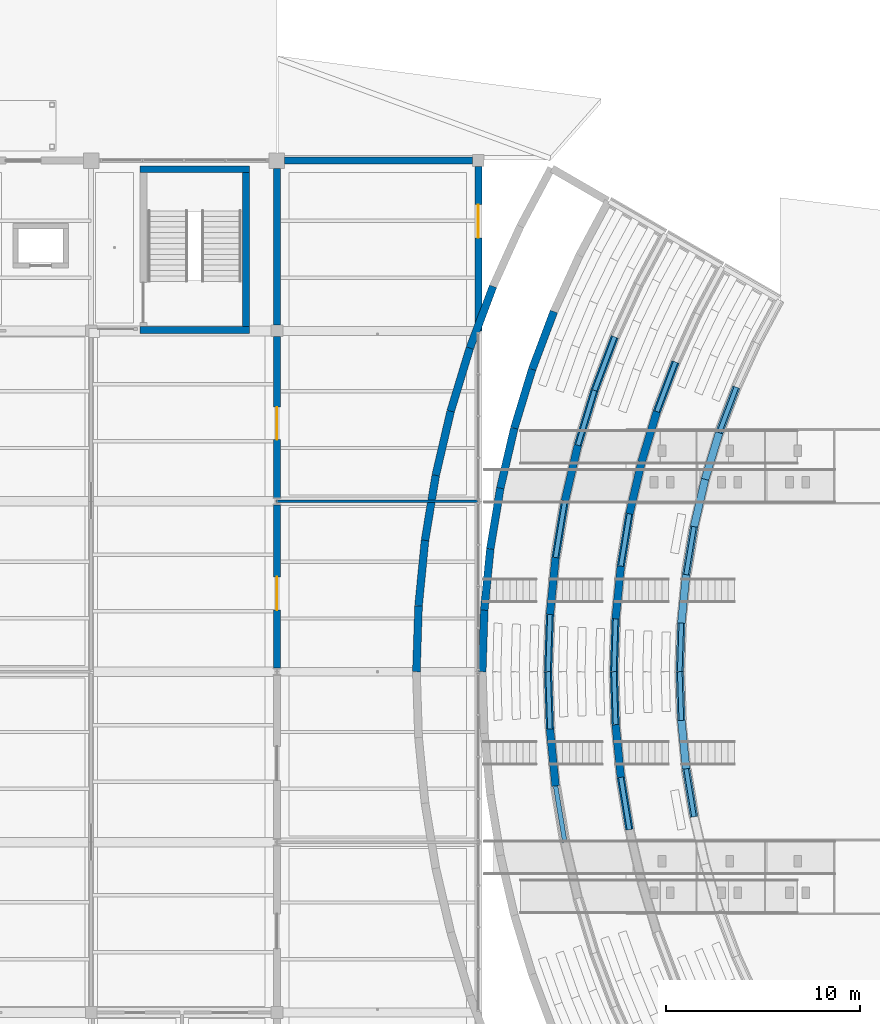
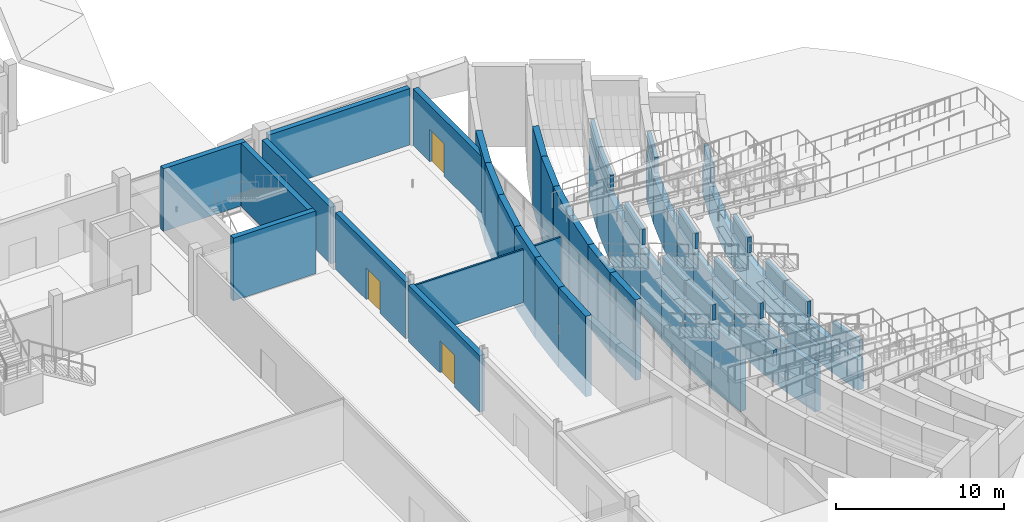
# One storey, part 86 of 116: 63 walls, 3 doors, 3 openings.
"""IFC4 building model written with IfcOpenShell, lengths in metres."""

from ifc_helpers import new_model, si_unit, direction, frame, frame_2d, origin, place, context, subcontext, project, spatial, rectangle, extrude, material, layer, layer_set, type_object, element, fill, save


model = new_model("IFC4")

# Units and contexts
model_context = context("Model", 3, precision=1e-05, world=origin(), true_north=direction((0.0, 1.0)))
body_context = subcontext(model_context, "Body", "Model", "MODEL_VIEW")
ifc_project = project(units=[si_unit("LENGTHUNIT", "METRE"), si_unit("AREAUNIT", "SQUARE_METRE"), si_unit("VOLUMEUNIT", "CUBIC_METRE"), si_unit("PLANEANGLEUNIT", "RADIAN"), si_unit("MASSUNIT", "GRAM", prefix="KILO")], contexts=[model_context])

# Site, building, storey
site_placement = place(None, origin())
site = spatial("IfcSite", under=ifc_project, at=site_placement, CompositionType="ELEMENT")
building_placement = place(site_placement, origin())
building = spatial("IfcBuilding", under=site, at=building_placement, Name="Chalmorin Arch Market", CompositionType="ELEMENT")
storey_placement = place(building_placement, origin())
storey = spatial("IfcBuildingStorey", under=building, at=storey_placement, Name="L00", CompositionType="ELEMENT", Elevation=0.0)

# Walls
ifc_material_1 = material(Name="Concrete C40/50", Category="concrete")
ifc_layer_1 = layer(ifc_material_1, 0.35009765625)
ifc_layer_set_1 = layer_set([ifc_layer_1], Name="Concrete C40/50")
wall_type_1 = type_object("IfcWallType", Name="CoreShearWall-350", PredefinedType="SHEAR", material=ifc_layer_set_1)
for number, where, z_axis, x_axis, name in (
    (1, (123.375, 50.050048828125, 0.0), (0.0, 0.0, 1.0), (-1.0, 0.0, 0.0), "CSW-350-053"),
    (2, (117.72509765625, 58.35009765625, 0.0), (0.0, 0.0, 1.0), (1.0, 0.0, 0.0), "CSW-350-054"),
):
    element("IfcWall", number, at=place(storey_placement, frame(where, z_axis=z_axis, x_axis=x_axis)), inside=storey, type_object=wall_type_1, Name=name, PredefinedType="SHEAR", context=body_context, shape_type="SweptSolid", body=[
        extrude(rectangle(XDim=5.64990234375, YDim=0.35009765625, at=frame_2d((2.824951171875, 0.0))), origin(), (0.0, 0.0, 1.0), 4.550048828125),
    ])
wall_1_placement = place(storey_placement, frame((123.199951171875, 58.175048828125, 0.0), z_axis=(0.0, 0.0, 1.0), x_axis=(0.0, -1.0, 0.0)))
element("IfcWall", 3, at=wall_1_placement, inside=storey, type_object=wall_type_1, Name="CSW-350-056", PredefinedType="SHEAR", context=body_context, shape_type="SweptSolid", body=[
    extrude(rectangle(XDim=7.949951171875, YDim=0.35009765625, at=frame_2d((3.97509765625, 0.0))), origin(), (0.0, 0.0, 1.0), 4.550048828125),
])
ifc_material_2 = material(Name="Powder-coated Aluminium Panel", Category="aluminium")
ifc_layer_2 = layer(ifc_material_2, 0.125)
ifc_layer_set_2 = layer_set([ifc_layer_2], Name="Powder-coated Aluminium Panel")
wall_type_2 = type_object("IfcWallType", Name="DemountableStudStallPartition-125", PredefinedType="PARTITIONING", material=ifc_layer_set_2)
wall_2_placement = place(storey_placement, frame((124.75, 41.199951171875, 0.0), z_axis=(0.0, 0.0, 1.0), x_axis=(1.0, 0.0, 0.0)))
element("IfcWall", 4, at=wall_2_placement, inside=storey, type_object=wall_type_2, Name="DSP-125-415", PredefinedType="PARTITIONING", context=body_context, shape_type="SweptSolid", body=[
    extrude(rectangle(XDim=10.39990234375, YDim=0.125, at=frame_2d((5.199951171875, 0.0))), origin(), (0.0, 0.0, 1.0), 3.8349609375),
])

# Wall, opening, door
ifc_material_3 = material(Name="Concrete C35/45", Category="concrete")
ifc_layer_3 = layer(ifc_material_3, 0.35009765625)
ifc_layer_set_3 = layer_set([ifc_layer_3], Name="Concrete C35/45")
wall_type_3 = type_object("IfcWallType", Name="PlinthPerimeterWall-350", PredefinedType="SOLIDWALL", material=ifc_layer_set_3)
wall_3_placement = place(storey_placement, frame((124.800048828125, 32.583984375, 0.0), z_axis=(0.0, 0.0, 1.0), x_axis=(0.0, 1.0, 0.0)))
wall_3 = element("IfcWall", 5, at=wall_3_placement, inside=storey, type_object=wall_type_3, Name="PPW-350-144", PredefinedType="SOLIDWALL", context=body_context, shape_type="SweptSolid", body=[
    extrude(rectangle(XDim=8.43212890625, YDim=0.35009765625, at=frame_2d((4.216064453125, 0.0))), origin(), (0.0, 0.0, 1.0), 4.10009765625),
])
opening_1_placement = place(wall_3_placement, frame((3.0, 0.0, 0.0)))
opening_1 = element("IfcOpeningElement", 6, at=opening_1_placement, cuts=wall_3, Name="Opening ED-026", PredefinedType="OPENING", context=body_context, shape_type="SweptSolid", body=[
    extrude(rectangle(XDim=1.719970703125, YDim=2.340087890625, at=frame_2d((0.85986328125, 1.169921875))), frame((0.0, 0.18505859375, 0.0), z_axis=(0.0, -1.0, 0.0), x_axis=(1.0, 0.0, 0.0)), (0.0, 0.0, 1.0), 0.3701171875),
])
ifc_material_4 = material(Name="Aluminium 6063-T6", Category="aluminium")
door_type_1 = type_object("IfcDoorType", Name="DoubleStorefrontDoor-1800x2400-1720x2340", OperationType="DOUBLE_DOOR_SINGLE_SWING", PredefinedType="DOOR", material=ifc_material_4)
door_1_placement = place(opening_1_placement, origin())
door_1 = element("IfcDoor", 7, at=door_1_placement, inside=storey, type_object=door_type_1, Name="ED-026", OperationType="DOUBLE_DOOR_SINGLE_SWING", OverallHeight=2.340087890625, OverallWidth=1.719970703125, PredefinedType="DOOR", context=body_context, shape_type="SweptSolid", body=[
    extrude(rectangle(XDim=1.719970703125, YDim=2.340087890625, at=frame_2d((0.85986328125, 1.169921875))), frame((0.0, 0.02490234375, 0.0), z_axis=(0.0, -1.0, 0.0), x_axis=(1.0, 0.0, 0.0)), (0.0, 0.0, 1.0), 0.050048828125),
])
fill(opening_1, door_1)

wall_4_placement = place(storey_placement, frame((124.800048828125, 41.384033203125, 0.0), z_axis=(0.0, 0.0, 1.0), x_axis=(0.0, 1.0, 0.0)))
wall_4 = element("IfcWall", 8, at=wall_4_placement, inside=storey, type_object=wall_type_3, Name="PPW-350-146", PredefinedType="SOLIDWALL", context=body_context, shape_type="SweptSolid", body=[
    extrude(rectangle(XDim=8.31591796875, YDim=0.35009765625, at=frame_2d((4.157958984375, 0.0))), origin(), (0.0, 0.0, 1.0), 4.10009765625),
])
opening_2_placement = place(wall_4_placement, frame((3.0, 0.0, 0.0)))
opening_2 = element("IfcOpeningElement", 9, at=opening_2_placement, cuts=wall_4, Name="Opening ED-027", PredefinedType="OPENING", context=body_context, shape_type="SweptSolid", body=[
    extrude(rectangle(XDim=1.679931640625, YDim=2.31005859375, at=frame_2d((0.83984375, 1.155029296875))), frame((0.0, 0.18505859375, 0.0), z_axis=(0.0, -1.0, 0.0), x_axis=(1.0, 0.0, 0.0)), (0.0, 0.0, 1.0), 0.3701171875),
])
door_type_2 = type_object("IfcDoorType", Name="DoubleStorefrontDoor-1800x2400-1680x2310", OperationType="DOUBLE_DOOR_SINGLE_SWING", PredefinedType="DOOR", material=ifc_material_4)
door_2_placement = place(opening_2_placement, origin())
door_2 = element("IfcDoor", 10, at=door_2_placement, inside=storey, type_object=door_type_2, Name="ED-027", OperationType="DOUBLE_DOOR_SINGLE_SWING", OverallHeight=2.31005859375, OverallWidth=1.679931640625, PredefinedType="DOOR", context=body_context, shape_type="SweptSolid", body=[
    extrude(rectangle(XDim=1.679931640625, YDim=2.31005859375, at=frame_2d((0.83984375, 1.155029296875))), frame((0.0, 0.02490234375, 0.0), z_axis=(0.0, -1.0, 0.0), x_axis=(1.0, 0.0, 0.0)), (0.0, 0.0, 1.0), 0.050048828125),
])
fill(opening_2, door_2)

# Wall
wall_5_placement = place(storey_placement, frame((124.800048828125, 50.300048828125, 0.0), z_axis=(0.0, 0.0, 1.0), x_axis=(0.0, 1.0, 0.0)))
element("IfcWall", 11, at=wall_5_placement, inside=storey, type_object=wall_type_3, Name="PPW-350-148", PredefinedType="SOLIDWALL", context=body_context, shape_type="SweptSolid", body=[
    extrude(rectangle(XDim=8.099853515625, YDim=0.35009765625, at=frame_2d((4.0498046875, 0.0))), origin(), (0.0, 0.0, 1.0), 4.10009765625),
])

# Wall, opening, door
wall_6_placement = place(storey_placement, frame((135.199951171875, 50.0, 0.0), z_axis=(0.0, 0.0, 1.0), x_axis=(0.0, 1.0, 0.0)))
wall_6 = element("IfcWall", 12, at=wall_6_placement, inside=storey, type_object=wall_type_3, Name="PPW-350-230", PredefinedType="SOLIDWALL", context=body_context, shape_type="SweptSolid", body=[
    extrude(rectangle(XDim=8.5, YDim=0.35009765625, at=frame_2d((4.25, 0.0))), origin(), (0.0, 0.0, 1.0), 4.10009765625),
])
opening_3_placement = place(wall_6_placement, frame((4.800048828125, 0.0, 0.0)))
opening_3 = element("IfcOpeningElement", 13, at=opening_3_placement, cuts=wall_6, Name="Opening ED-062", PredefinedType="OPENING", context=body_context, shape_type="SweptSolid", body=[
    extrude(rectangle(XDim=1.719970703125, YDim=2.340087890625, at=frame_2d((0.85986328125, 1.169921875))), frame((0.0, 0.18505859375, 0.0), z_axis=(0.0, -1.0, 0.0), x_axis=(1.0, 0.0, 0.0)), (0.0, 0.0, 1.0), 0.3701171875),
])
door_3_placement = place(opening_3_placement, origin())
door_3 = element("IfcDoor", 14, at=door_3_placement, inside=storey, type_object=door_type_1, Name="ED-062", OperationType="DOUBLE_DOOR_SINGLE_SWING", OverallHeight=2.340087890625, OverallWidth=1.719970703125, PredefinedType="DOOR", context=body_context, shape_type="SweptSolid", body=[
    extrude(rectangle(XDim=1.719970703125, YDim=2.340087890625, at=frame_2d((0.85986328125, 1.169921875))), frame((0.0, 0.02490234375, 0.0), z_axis=(0.0, -1.0, 0.0), x_axis=(1.0, 0.0, 0.0)), (0.0, 0.0, 1.0), 0.050048828125),
])
fill(opening_3, door_3)

# Walls
wall_7_placement = place(storey_placement, frame((125.199951171875, 58.800048828125, 0.0), z_axis=(0.0, 0.0, 1.0), x_axis=(1.0, 0.0, 0.0)))
element("IfcWall", 15, at=wall_7_placement, inside=storey, type_object=wall_type_3, Name="PPW-350-232", PredefinedType="SOLIDWALL", context=body_context, shape_type="SweptSolid", body=[
    extrude(rectangle(XDim=9.699951171875, YDim=0.35009765625, at=frame_2d((4.85009765625, 0.0))), origin(), (0.0, 0.0, 1.0), 4.10009765625),
])
ifc_layer_4 = layer(ifc_material_1, 0.39990234375)
ifc_layer_set_4 = layer_set([ifc_layer_4], Name="Concrete C40/50")
wall_type_4 = type_object("IfcWallType", Name="TerraceRetainingWall-400", PredefinedType="SOLIDWALL", material=ifc_layer_set_4)
wall_8_placement = place(storey_placement, frame((148.52294921875, 47.094970703125, -1.300048828125), z_axis=(0.0, 0.0, 1.0), x_axis=(-0.352166581556, -0.935937337024, 0.0)))
element("IfcWall", 16, at=wall_8_placement, inside=storey, type_object=wall_type_4, Name="TRW-400-237", PredefinedType="SOLIDWALL", context=body_context, shape_type="SweptSolid", body=[
    extrude(rectangle(XDim=2.512939453125, YDim=0.39990234375, at=frame_2d((1.25634765625, 0.0))), origin(), (0.0, 0.0, 1.0), 2.239990234375),
])
wall_9_placement = place(storey_placement, frame((147.637939453125, 44.742919921875, -1.300048828125), z_axis=(0.0, 0.0, 1.0), x_axis=(-0.290573761892, -0.956852595179, 0.0)))
element("IfcWall", 17, at=wall_9_placement, inside=storey, type_object=wall_type_4, Name="TRW-400-239", PredefinedType="SOLIDWALL", context=body_context, shape_type="SweptSolid", body=[
    extrude(rectangle(XDim=2.51220703125, YDim=0.39990234375, at=frame_2d((1.256103515625, 0.0))), origin(), (0.0, 0.0, 1.0), 2.239990234375),
])
wall_10_placement = place(storey_placement, frame((146.907958984375, 42.339111328125, -1.300048828125), z_axis=(0.0, 0.0, 1.0), x_axis=(-0.226802786969, -0.97394070447, 0.0)))
element("IfcWall", 18, at=wall_10_placement, inside=storey, type_object=wall_type_4, Name="TRW-400-240", PredefinedType="SOLIDWALL", context=body_context, shape_type="SweptSolid", body=[
    extrude(rectangle(XDim=2.513427734375, YDim=0.39990234375, at=frame_2d((1.2568359375, 0.0))), origin(), (0.0, 0.0, 1.0), 2.239990234375),
])
wall_11_placement = place(storey_placement, frame((146.337890625, 39.89111328125, -1.300048828125), z_axis=(0.0, 0.0, 1.0), x_axis=(-0.162759998997, -0.986665689444, 0.0)))
element("IfcWall", 19, at=wall_11_placement, inside=storey, type_object=wall_type_4, Name="TRW-400-241", PredefinedType="SOLIDWALL", context=body_context, shape_type="SweptSolid", body=[
    extrude(rectangle(XDim=2.512451171875, YDim=0.39990234375, at=frame_2d((1.25634765625, 0.0))), origin(), (0.0, 0.0, 1.0), 2.239990234375),
])
wall_12_placement = place(storey_placement, frame((145.928955078125, 37.412109375, -1.300048828125), z_axis=(0.0, 0.0, 1.0), x_axis=(-0.098301470161, -0.995156681616, 0.0)))
element("IfcWall", 20, at=wall_12_placement, inside=storey, type_object=wall_type_4, Name="TRW-400-243", PredefinedType="SOLIDWALL", context=body_context, shape_type="SweptSolid", body=[
    extrude(rectangle(XDim=2.513427734375, YDim=0.39990234375, at=frame_2d((1.2568359375, 0.0))), origin(), (0.0, 0.0, 1.0), 2.239990234375),
])
for number, where, z_axis, x_axis, name in (
    (21, (145.681884765625, 34.910888671875, -1.300048828125), (0.0, 0.0, 1.0), (-0.032554442181, -0.999469963678, 0.0), "TRW-400-244"),
    (22, (145.60009765625, 32.39990234375, -1.300048828125), (0.0, 0.0, 1.0), (0.032554442181, -0.999469963678, 0.0), "TRW-400-246"),
):
    element("IfcWall", number, at=place(storey_placement, frame(where, z_axis=z_axis, x_axis=x_axis)), inside=storey, type_object=wall_type_4, Name=name, PredefinedType="SOLIDWALL", context=body_context, shape_type="SweptSolid", body=[
        extrude(rectangle(XDim=2.51220703125, YDim=0.39990234375, at=frame_2d((1.256103515625, 0.0))), origin(), (0.0, 0.0, 1.0), 2.239990234375),
    ])
wall_13_placement = place(storey_placement, frame((145.681884765625, 29.888916015625, -1.300048828125), z_axis=(0.0, 0.0, 1.0), x_axis=(0.098310973424, -0.995155742839, 0.0)))
element("IfcWall", 23, at=wall_13_placement, inside=storey, type_object=wall_type_4, Name="TRW-400-248", PredefinedType="SOLIDWALL", context=body_context, shape_type="SweptSolid", body=[
    extrude(rectangle(XDim=2.51318359375, YDim=0.39990234375, at=frame_2d((1.256591796875, 0.0))), origin(), (0.0, 0.0, 1.0), 2.239990234375),
])
wall_14_placement = place(storey_placement, frame((145.928955078125, 27.387939453125, -1.300048828125), z_axis=(0.0, 0.0, 1.0), x_axis=(0.162759998997, -0.986665689444, 0.0)))
element("IfcWall", 24, at=wall_14_placement, inside=storey, type_object=wall_type_4, Name="TRW-400-249", PredefinedType="SOLIDWALL", context=body_context, shape_type="SweptSolid", body=[
    extrude(rectangle(XDim=2.512451171875, YDim=0.39990234375, at=frame_2d((1.25634765625, 0.0))), origin(), (0.0, 0.0, 1.0), 2.239990234375),
])
wall_15_placement = place(storey_placement, frame((145.382080078125, 48.39599609375, -1.300048828125), z_axis=(0.0, 0.0, 1.0), x_axis=(-0.352433673569, -0.93583679439, 0.0)))
element("IfcWall", 25, at=wall_15_placement, inside=storey, type_object=wall_type_4, Name="TRW-400-263", PredefinedType="SOLIDWALL", context=body_context, shape_type="SweptSolid", body=[
    extrude(rectangle(XDim=2.735595703125, YDim=0.39990234375, at=frame_2d((1.36767578125, 0.0))), origin(), (0.0, 0.0, 1.0), 3.43994140625),
])
wall_16_placement = place(storey_placement, frame((144.41796875, 45.8359375, -1.300048828125), z_axis=(0.0, 0.0, 1.0), x_axis=(-0.290319576629, -0.956929748428, 0.0)))
element("IfcWall", 26, at=wall_16_placement, inside=storey, type_object=wall_type_4, Name="TRW-400-265", PredefinedType="SOLIDWALL", context=body_context, shape_type="SweptSolid", body=[
    extrude(rectangle(XDim=2.734619140625, YDim=0.39990234375, at=frame_2d((1.3671875, 0.0))), origin(), (0.0, 0.0, 1.0), 3.43994140625),
])
wall_17_placement = place(storey_placement, frame((143.6240234375, 43.218994140625, -1.300048828125), z_axis=(0.0, 0.0, 1.0), x_axis=(-0.22704904503, -0.973883325225, 0.0)))
element("IfcWall", 27, at=wall_17_placement, inside=storey, type_object=wall_type_4, Name="TRW-400-266", PredefinedType="SOLIDWALL", context=body_context, shape_type="SweptSolid", body=[
    extrude(rectangle(XDim=2.735595703125, YDim=0.39990234375, at=frame_2d((1.36767578125, 0.0))), origin(), (0.0, 0.0, 1.0), 3.43994140625),
])
wall_18_placement = place(storey_placement, frame((143.0029296875, 40.554931640625, -1.300048828125), z_axis=(0.0, 0.0, 1.0), x_axis=(-0.162618489266, -0.986689022412, 0.0)))
element("IfcWall", 28, at=wall_18_placement, inside=storey, type_object=wall_type_4, Name="TRW-400-267", PredefinedType="SOLIDWALL", context=body_context, shape_type="SweptSolid", body=[
    extrude(rectangle(XDim=2.7353515625, YDim=0.39990234375, at=frame_2d((1.36767578125, 0.0))), origin(), (0.0, 0.0, 1.0), 3.43994140625),
])
wall_19_placement = place(storey_placement, frame((142.55810546875, 37.85595703125, -1.300048828125), z_axis=(0.0, 0.0, 1.0), x_axis=(-0.098363610785, -0.995150541412, 0.0)))
element("IfcWall", 29, at=wall_19_placement, inside=storey, type_object=wall_type_4, Name="TRW-400-269", PredefinedType="SOLIDWALL", context=body_context, shape_type="SweptSolid", body=[
    extrude(rectangle(XDim=2.735107421875, YDim=0.39990234375, at=frame_2d((1.36767578125, 0.0))), origin(), (0.0, 0.0, 1.0), 3.43994140625),
])
wall_20_placement = place(storey_placement, frame((142.2890625, 35.134033203125, -1.300048828125), z_axis=(0.0, 0.0, 1.0), x_axis=(-0.032574898961, -0.999469297156, 0.0)))
element("IfcWall", 30, at=wall_20_placement, inside=storey, type_object=wall_type_4, Name="TRW-400-270", PredefinedType="SOLIDWALL", context=body_context, shape_type="SweptSolid", body=[
    extrude(rectangle(XDim=2.735595703125, YDim=0.39990234375, at=frame_2d((1.36767578125, 0.0))), origin(), (0.0, 0.0, 1.0), 3.43994140625),
])
wall_21_placement = place(storey_placement, frame((142.199951171875, 32.39990234375, -1.300048828125), z_axis=(0.0, 0.0, 1.0), x_axis=(0.032577804866, -0.999469202442, 0.0)))
element("IfcWall", 31, at=wall_21_placement, inside=storey, type_object=wall_type_4, Name="TRW-400-272", PredefinedType="SOLIDWALL", context=body_context, shape_type="SweptSolid", body=[
    extrude(rectangle(XDim=2.7353515625, YDim=0.39990234375, at=frame_2d((1.36767578125, 0.0))), origin(), (0.0, 0.0, 1.0), 3.43994140625),
])
wall_22_placement = place(storey_placement, frame((142.2890625, 29.666015625, -1.300048828125), z_axis=(0.0, 0.0, 1.0), x_axis=(0.098363610785, -0.995150541412, 0.0)))
element("IfcWall", 32, at=wall_22_placement, inside=storey, type_object=wall_type_4, Name="TRW-400-274", PredefinedType="SOLIDWALL", context=body_context, shape_type="SweptSolid", body=[
    extrude(rectangle(XDim=2.735107421875, YDim=0.39990234375, at=frame_2d((1.36767578125, 0.0))), origin(), (0.0, 0.0, 1.0), 3.43994140625),
])
wall_23_placement = place(storey_placement, frame((142.55810546875, 26.944091796875, -1.300048828125), z_axis=(0.0, 0.0, 1.0), x_axis=(0.162618489266, -0.986689022412, 0.0)))
element("IfcWall", 33, at=wall_23_placement, inside=storey, type_object=wall_type_4, Name="TRW-400-275", PredefinedType="SOLIDWALL", context=body_context, shape_type="SweptSolid", body=[
    extrude(rectangle(XDim=2.7353515625, YDim=0.39990234375, at=frame_2d((1.36767578125, 0.0))), origin(), (0.0, 0.0, 1.0), 3.43994140625),
])
wall_24_placement = place(storey_placement, frame((142.240966796875, 49.697021484375, -1.300048828125), z_axis=(0.0, 0.0, 1.0), x_axis=(-0.352299138469, -0.935887448914, 0.0)))
element("IfcWall", 34, at=wall_24_placement, inside=storey, type_object=wall_type_4, Name="TRW-400-289", PredefinedType="SOLIDWALL", context=body_context, shape_type="SweptSolid", body=[
    extrude(rectangle(XDim=2.957763671875, YDim=0.39990234375, at=frame_2d((1.47900390625, 0.0))), origin(), (0.0, 0.0, 1.0), 4.64013671875),
])
wall_25_placement = place(storey_placement, frame((141.198974609375, 46.928955078125, -1.300048828125), z_axis=(0.0, 0.0, 1.0), x_axis=(-0.290428960728, -0.95689655594, 0.0)))
element("IfcWall", 35, at=wall_25_placement, inside=storey, type_object=wall_type_4, Name="TRW-400-291", PredefinedType="SOLIDWALL", context=body_context, shape_type="SweptSolid", body=[
    extrude(rectangle(XDim=2.957275390625, YDim=0.39990234375, at=frame_2d((1.478515625, 0.0))), origin(), (0.0, 0.0, 1.0), 4.64013671875),
])
wall_26_placement = place(storey_placement, frame((140.340087890625, 44.09912109375, -1.300048828125), z_axis=(0.0, 0.0, 1.0), x_axis=(-0.22687217762, -0.973924542776, 0.0)))
element("IfcWall", 36, at=wall_26_placement, inside=storey, type_object=wall_type_4, Name="TRW-400-293", PredefinedType="SOLIDWALL", context=body_context, shape_type="SweptSolid", body=[
    extrude(rectangle(XDim=2.958251953125, YDim=0.39990234375, at=frame_2d((1.47900390625, 0.0))), origin(), (0.0, 0.0, 1.0), 4.64013671875),
])
wall_27_placement = place(storey_placement, frame((139.6689453125, 41.218017578125, -1.300048828125), z_axis=(0.0, 0.0, 1.0), x_axis=(-0.162953075722, -0.986633820175, 0.0)))
element("IfcWall", 37, at=wall_27_placement, inside=storey, type_object=wall_type_4, Name="TRW-400-294", PredefinedType="SOLIDWALL", context=body_context, shape_type="SweptSolid", body=[
    extrude(rectangle(XDim=2.95751953125, YDim=0.39990234375, at=frame_2d((1.478759765625, 0.0))), origin(), (0.0, 0.0, 1.0), 4.64013671875),
])
wall_28_placement = place(storey_placement, frame((139.18701171875, 38.300048828125, -1.300048828125), z_axis=(0.0, 0.0, 1.0), x_axis=(-0.098041020054, -0.995182374435, 0.0)))
element("IfcWall", 38, at=wall_28_placement, inside=storey, type_object=wall_type_4, Name="TRW-400-296", PredefinedType="SOLIDWALL", context=body_context, shape_type="SweptSolid", body=[
    extrude(rectangle(XDim=2.958251953125, YDim=0.39990234375, at=frame_2d((1.47900390625, 0.0))), origin(), (0.0, 0.0, 1.0), 4.64013671875),
])
wall_29_placement = place(storey_placement, frame((138.89697265625, 35.35595703125, -1.300048828125), z_axis=(0.0, 0.0, 1.0), x_axis=(-0.032770628575, -0.999462898712, 0.0)))
element("IfcWall", 39, at=wall_29_placement, inside=storey, type_object=wall_type_4, Name="TRW-400-297", PredefinedType="SOLIDWALL", context=body_context, shape_type="SweptSolid", body=[
    extrude(rectangle(XDim=2.957763671875, YDim=0.39990234375, at=frame_2d((1.47900390625, 0.0))), origin(), (0.0, 0.0, 1.0), 4.64013671875),
])
wall_30_placement = place(storey_placement, frame((138.800048828125, 32.39990234375, -1.300048828125), z_axis=(0.0, 0.0, 1.0), x_axis=(0.032773332419, -0.999462810055, 0.0)))
element("IfcWall", 40, at=wall_30_placement, inside=storey, type_object=wall_type_4, Name="TRW-400-299", PredefinedType="SOLIDWALL", context=body_context, shape_type="SweptSolid", body=[
    extrude(rectangle(XDim=2.95751953125, YDim=0.39990234375, at=frame_2d((1.478759765625, 0.0))), origin(), (0.0, 0.0, 1.0), 4.64013671875),
])
wall_31_placement = place(storey_placement, frame((138.89697265625, 29.444091796875, -1.300048828125), z_axis=(0.0, 0.0, 1.0), x_axis=(0.098041020054, -0.995182374435, 0.0)))
element("IfcWall", 41, at=wall_31_placement, inside=storey, type_object=wall_type_4, Name="TRW-400-301", PredefinedType="SOLIDWALL", context=body_context, shape_type="SweptSolid", body=[
    extrude(rectangle(XDim=2.958251953125, YDim=0.39990234375, at=frame_2d((1.47900390625, 0.0))), origin(), (0.0, 0.0, 1.0), 4.64013671875),
])
for number, where, z_axis, x_axis, name in (
    (42, (139.09912109375, 50.998046875, -1.300048828125), (0.0, 0.0, 1.0), (-0.352250644883, -0.935905702077, 0.0), "TRW-400-317"),
    (43, (137.97900390625, 48.02197265625, -1.300048828125), (0.0, 0.0, 1.0), (-0.290290789392, -0.956938481614, 0.0), "TRW-400-319"),
):
    element("IfcWall", number, at=place(storey_placement, frame(where, z_axis=z_axis, x_axis=x_axis)), inside=storey, type_object=wall_type_4, Name=name, PredefinedType="SOLIDWALL", context=body_context, shape_type="SweptSolid", body=[
        extrude(rectangle(XDim=3.179931640625, YDim=0.39990234375, at=frame_2d((1.58984375, 0.0))), origin(), (0.0, 0.0, 1.0), 5.840087890625),
    ])
wall_32_placement = place(storey_placement, frame((137.055908203125, 44.97900390625, -1.300048828125), z_axis=(0.0, 0.0, 1.0), x_axis=(-0.226955434823, -0.973905144562, 0.0)))
element("IfcWall", 44, at=wall_32_placement, inside=storey, type_object=wall_type_4, Name="TRW-400-321", PredefinedType="SOLIDWALL", context=body_context, shape_type="SweptSolid", body=[
    extrude(rectangle(XDim=3.180908203125, YDim=0.39990234375, at=frame_2d((1.59033203125, 0.0))), origin(), (0.0, 0.0, 1.0), 5.840087890625),
])
wall_33_placement = place(storey_placement, frame((136.333984375, 41.881103515625, -1.300048828125), z_axis=(0.0, 0.0, 1.0), x_axis=(-0.162929587376, -0.986637699238, 0.0)))
element("IfcWall", 45, at=wall_33_placement, inside=storey, type_object=wall_type_4, Name="TRW-400-322", PredefinedType="SOLIDWALL", context=body_context, shape_type="SweptSolid", body=[
    extrude(rectangle(XDim=3.1796875, YDim=0.39990234375, at=frame_2d((1.58984375, 0.0))), origin(), (0.0, 0.0, 1.0), 5.840087890625),
])
wall_34_placement = place(storey_placement, frame((135.81591796875, 38.743896484375, -1.300048828125), z_axis=(0.0, 0.0, 1.0), x_axis=(-0.098112632491, -0.995175316889, 0.0)))
element("IfcWall", 46, at=wall_34_placement, inside=storey, type_object=wall_type_4, Name="TRW-400-324", PredefinedType="SOLIDWALL", context=body_context, shape_type="SweptSolid", body=[
    extrude(rectangle(XDim=3.18017578125, YDim=0.39990234375, at=frame_2d((1.590087890625, 0.0))), origin(), (0.0, 0.0, 1.0), 5.840087890625),
])
wall_35_placement = place(storey_placement, frame((135.50390625, 35.5791015625, -1.300048828125), z_axis=(0.0, 0.0, 1.0), x_axis=(-0.03269637773, -0.999465330506, 0.0)))
element("IfcWall", 47, at=wall_35_placement, inside=storey, type_object=wall_type_4, Name="TRW-400-325", PredefinedType="SOLIDWALL", context=body_context, shape_type="SweptSolid", body=[
    extrude(rectangle(XDim=3.180908203125, YDim=0.39990234375, at=frame_2d((1.59033203125, 0.0))), origin(), (0.0, 0.0, 1.0), 5.840087890625),
])
wall_36_placement = place(storey_placement, frame((135.9580078125, 52.300048828125, -1.300048828125), z_axis=(0.0, 0.0, 1.0), x_axis=(-0.352051035757, -0.935980805478, 0.0)))
element("IfcWall", 48, at=wall_36_placement, inside=storey, type_object=wall_type_4, Name="TRW-400-343", PredefinedType="SOLIDWALL", context=body_context, shape_type="SweptSolid", body=[
    extrude(rectangle(XDim=3.40283203125, YDim=0.39990234375, at=frame_2d((1.701416015625, 0.0))), origin(), (0.0, 0.0, 1.0), 5.840087890625),
])
wall_37_placement = place(storey_placement, frame((134.760009765625, 49.114990234375, -1.300048828125), z_axis=(0.0, 0.0, 1.0), x_axis=(-0.290367808858, -0.956915114093, 0.0)))
element("IfcWall", 49, at=wall_37_placement, inside=storey, type_object=wall_type_4, Name="TRW-400-344", PredefinedType="SOLIDWALL", context=body_context, shape_type="SweptSolid", body=[
    extrude(rectangle(XDim=3.402587890625, YDim=0.39990234375, at=frame_2d((1.701171875, 0.0))), origin(), (0.0, 0.0, 1.0), 5.840087890625),
])
wall_38_placement = place(storey_placement, frame((133.77197265625, 45.85888671875, -1.300048828125), z_axis=(0.0, 0.0, 1.0), x_axis=(-0.227143430466, -0.973861315587, 0.0)))
element("IfcWall", 50, at=wall_38_placement, inside=storey, type_object=wall_type_4, Name="TRW-400-345", PredefinedType="SOLIDWALL", context=body_context, shape_type="SweptSolid", body=[
    extrude(rectangle(XDim=3.40283203125, YDim=0.39990234375, at=frame_2d((1.701416015625, 0.0))), origin(), (0.0, 0.0, 1.0), 5.840087890625),
])
wall_39_placement = place(storey_placement, frame((132.9990234375, 42.544921875, -1.300048828125), z_axis=(0.0, 0.0, 1.0), x_axis=(-0.162770150472, -0.986664014807, 0.0)))
element("IfcWall", 51, at=wall_39_placement, inside=storey, type_object=wall_type_4, Name="TRW-400-346", PredefinedType="SOLIDWALL", context=body_context, shape_type="SweptSolid", body=[
    extrude(rectangle(XDim=3.4033203125, YDim=0.39990234375, at=frame_2d((1.70166015625, 0.0))), origin(), (0.0, 0.0, 1.0), 5.840087890625),
])
wall_40_placement = place(storey_placement, frame((132.445068359375, 39.18701171875, -1.300048828125), z_axis=(0.0, 0.0, 1.0), x_axis=(-0.098160885719, -0.995170558505, 0.0)))
element("IfcWall", 52, at=wall_40_placement, inside=storey, type_object=wall_type_4, Name="TRW-400-347", PredefinedType="SOLIDWALL", context=body_context, shape_type="SweptSolid", body=[
    extrude(rectangle(XDim=3.40234375, YDim=0.39990234375, at=frame_2d((1.701171875, 0.0))), origin(), (0.0, 0.0, 1.0), 5.840087890625),
])
wall_41_placement = place(storey_placement, frame((132.111083984375, 35.801025390625, -1.300048828125), z_axis=(0.0, 0.0, 1.0), x_axis=(-0.03264356549, -0.999467056802, 0.0)))
element("IfcWall", 53, at=wall_41_placement, inside=storey, type_object=wall_type_4, Name="TRW-400-348", PredefinedType="SOLIDWALL", context=body_context, shape_type="SweptSolid", body=[
    extrude(rectangle(XDim=3.40283203125, YDim=0.39990234375, at=frame_2d((1.701416015625, 0.0))), origin(), (0.0, 0.0, 1.0), 5.840087890625),
])
ifc_material_5 = material(Name="Precast concrete C40/50", Category="concrete")
ifc_layer_5 = layer(ifc_material_5, 0.239990234375)
ifc_layer_set_5 = layer_set([ifc_layer_5], Name="Precast concrete C40/50")
wall_type_5 = type_object("IfcWallType", Name="WhitePlanterParapetWall-240", PredefinedType="PARAPET", material=ifc_layer_set_5)
wall_42_placement = place(storey_placement, frame((148.52294921875, 47.094970703125, 1.199951171875), z_axis=(0.0, 0.0, 1.0), x_axis=(-0.352166581556, -0.935937337024, 0.0)))
element("IfcWall", 54, at=wall_42_placement, inside=storey, type_object=wall_type_5, Name="PWP-240-238", PredefinedType="PARAPET", context=body_context, shape_type="SweptSolid", body=[
    extrude(rectangle(XDim=2.512939453125, YDim=0.239990234375, at=frame_2d((1.25634765625, 0.0))), origin(), (0.0, 0.0, 1.0), 1.1201171875),
])
wall_43_placement = place(storey_placement, frame((146.337890625, 39.89111328125, 1.199951171875), z_axis=(0.0, 0.0, 1.0), x_axis=(-0.162759998997, -0.986665689444, 0.0)))
element("IfcWall", 55, at=wall_43_placement, inside=storey, type_object=wall_type_5, Name="PWP-240-242", PredefinedType="PARAPET", context=body_context, shape_type="SweptSolid", body=[
    extrude(rectangle(XDim=2.512451171875, YDim=0.239990234375, at=frame_2d((1.25634765625, 0.0))), origin(), (0.0, 0.0, 1.0), 1.1201171875),
])
for number, where, z_axis, x_axis, name in (
    (56, (145.681884765625, 34.910888671875, 1.199951171875), (0.0, 0.0, 1.0), (-0.032554442181, -0.999469963678, 0.0), "PWP-240-245"),
    (57, (145.60009765625, 32.39990234375, 1.199951171875), (0.0, 0.0, 1.0), (0.032554442181, -0.999469963678, 0.0), "PWP-240-247"),
):
    element("IfcWall", number, at=place(storey_placement, frame(where, z_axis=z_axis, x_axis=x_axis)), inside=storey, type_object=wall_type_5, Name=name, PredefinedType="PARAPET", context=body_context, shape_type="SweptSolid", body=[
        extrude(rectangle(XDim=2.51220703125, YDim=0.239990234375, at=frame_2d((1.256103515625, 0.0))), origin(), (0.0, 0.0, 1.0), 1.1201171875),
    ])
wall_44_placement = place(storey_placement, frame((145.928955078125, 27.387939453125, 1.199951171875), z_axis=(0.0, 0.0, 1.0), x_axis=(0.162759998997, -0.986665689444, 0.0)))
element("IfcWall", 58, at=wall_44_placement, inside=storey, type_object=wall_type_5, Name="PWP-240-250", PredefinedType="PARAPET", context=body_context, shape_type="SweptSolid", body=[
    extrude(rectangle(XDim=2.512451171875, YDim=0.239990234375, at=frame_2d((1.25634765625, 0.0))), origin(), (0.0, 0.0, 1.0), 1.1201171875),
])
wall_45_placement = place(storey_placement, frame((145.382080078125, 48.39599609375, 2.39990234375), z_axis=(0.0, 0.0, 1.0), x_axis=(-0.352433673569, -0.93583679439, 0.0)))
element("IfcWall", 59, at=wall_45_placement, inside=storey, type_object=wall_type_5, Name="PWP-240-264", PredefinedType="PARAPET", context=body_context, shape_type="SweptSolid", body=[
    extrude(rectangle(XDim=2.735595703125, YDim=0.239990234375, at=frame_2d((1.36767578125, 0.0))), origin(), (0.0, 0.0, 1.0), 1.1201171875),
])
wall_46_placement = place(storey_placement, frame((143.0029296875, 40.554931640625, 2.39990234375), z_axis=(0.0, 0.0, 1.0), x_axis=(-0.162618489266, -0.986689022412, 0.0)))
element("IfcWall", 60, at=wall_46_placement, inside=storey, type_object=wall_type_5, Name="PWP-240-268", PredefinedType="PARAPET", context=body_context, shape_type="SweptSolid", body=[
    extrude(rectangle(XDim=2.7353515625, YDim=0.239990234375, at=frame_2d((1.36767578125, 0.0))), origin(), (0.0, 0.0, 1.0), 1.1201171875),
])
wall_47_placement = place(storey_placement, frame((142.2890625, 35.134033203125, 2.39990234375), z_axis=(0.0, 0.0, 1.0), x_axis=(-0.032574898961, -0.999469297156, 0.0)))
element("IfcWall", 61, at=wall_47_placement, inside=storey, type_object=wall_type_5, Name="PWP-240-271", PredefinedType="PARAPET", context=body_context, shape_type="SweptSolid", body=[
    extrude(rectangle(XDim=2.735595703125, YDim=0.239990234375, at=frame_2d((1.36767578125, 0.0))), origin(), (0.0, 0.0, 1.0), 1.1201171875),
])
for number, where, z_axis, x_axis, name in (
    (62, (142.199951171875, 32.39990234375, 2.39990234375), (0.0, 0.0, 1.0), (0.032577804866, -0.999469202442, 0.0), "PWP-240-273"),
    (63, (142.55810546875, 26.944091796875, 2.39990234375), (0.0, 0.0, 1.0), (0.162618489266, -0.986689022412, 0.0), "PWP-240-276"),
):
    element("IfcWall", number, at=place(storey_placement, frame(where, z_axis=z_axis, x_axis=x_axis)), inside=storey, type_object=wall_type_5, Name=name, PredefinedType="PARAPET", context=body_context, shape_type="SweptSolid", body=[
        extrude(rectangle(XDim=2.7353515625, YDim=0.239990234375, at=frame_2d((1.36767578125, 0.0))), origin(), (0.0, 0.0, 1.0), 1.1201171875),
    ])
wall_48_placement = place(storey_placement, frame((142.240966796875, 49.697021484375, 3.60009765625), z_axis=(0.0, 0.0, 1.0), x_axis=(-0.352299138469, -0.935887448914, 0.0)))
element("IfcWall", 64, at=wall_48_placement, inside=storey, type_object=wall_type_5, Name="PWP-240-290", PredefinedType="PARAPET", context=body_context, shape_type="SweptSolid", body=[
    extrude(rectangle(XDim=2.957763671875, YDim=0.239990234375, at=frame_2d((1.47900390625, 0.0))), origin(), (0.0, 0.0, 1.0), 1.119873046875),
])
wall_49_placement = place(storey_placement, frame((141.198974609375, 46.928955078125, 3.60009765625), z_axis=(0.0, 0.0, 1.0), x_axis=(-0.290428960728, -0.95689655594, 0.0)))
element("IfcWall", 65, at=wall_49_placement, inside=storey, type_object=wall_type_5, Name="PWP-240-292", PredefinedType="PARAPET", context=body_context, shape_type="SweptSolid", body=[
    extrude(rectangle(XDim=2.957275390625, YDim=0.239990234375, at=frame_2d((1.478515625, 0.0))), origin(), (0.0, 0.0, 1.0), 1.119873046875),
])
wall_50_placement = place(storey_placement, frame((139.6689453125, 41.218017578125, 3.60009765625), z_axis=(0.0, 0.0, 1.0), x_axis=(-0.162953075722, -0.986633820175, 0.0)))
element("IfcWall", 66, at=wall_50_placement, inside=storey, type_object=wall_type_5, Name="PWP-240-295", PredefinedType="PARAPET", context=body_context, shape_type="SweptSolid", body=[
    extrude(rectangle(XDim=2.95751953125, YDim=0.239990234375, at=frame_2d((1.478759765625, 0.0))), origin(), (0.0, 0.0, 1.0), 1.119873046875),
])
wall_51_placement = place(storey_placement, frame((138.89697265625, 35.35595703125, 3.60009765625), z_axis=(0.0, 0.0, 1.0), x_axis=(-0.032770628575, -0.999462898712, 0.0)))
element("IfcWall", 67, at=wall_51_placement, inside=storey, type_object=wall_type_5, Name="PWP-240-298", PredefinedType="PARAPET", context=body_context, shape_type="SweptSolid", body=[
    extrude(rectangle(XDim=2.957763671875, YDim=0.239990234375, at=frame_2d((1.47900390625, 0.0))), origin(), (0.0, 0.0, 1.0), 1.119873046875),
])
for number, where, z_axis, x_axis, name in (
    (68, (138.800048828125, 32.39990234375, 3.60009765625), (0.0, 0.0, 1.0), (0.032773332419, -0.999462810055, 0.0), "PWP-240-300"),
    (69, (139.18701171875, 26.5, 3.60009765625), (0.0, 0.0, 1.0), (0.162953075722, -0.986633820175, 0.0), "PWP-240-303"),
):
    element("IfcWall", number, at=place(storey_placement, frame(where, z_axis=z_axis, x_axis=x_axis)), inside=storey, type_object=wall_type_5, Name=name, PredefinedType="PARAPET", context=body_context, shape_type="SweptSolid", body=[
        extrude(rectangle(XDim=2.95751953125, YDim=0.239990234375, at=frame_2d((1.478759765625, 0.0))), origin(), (0.0, 0.0, 1.0), 1.119873046875),
    ])

save(model, "model.ifc")
